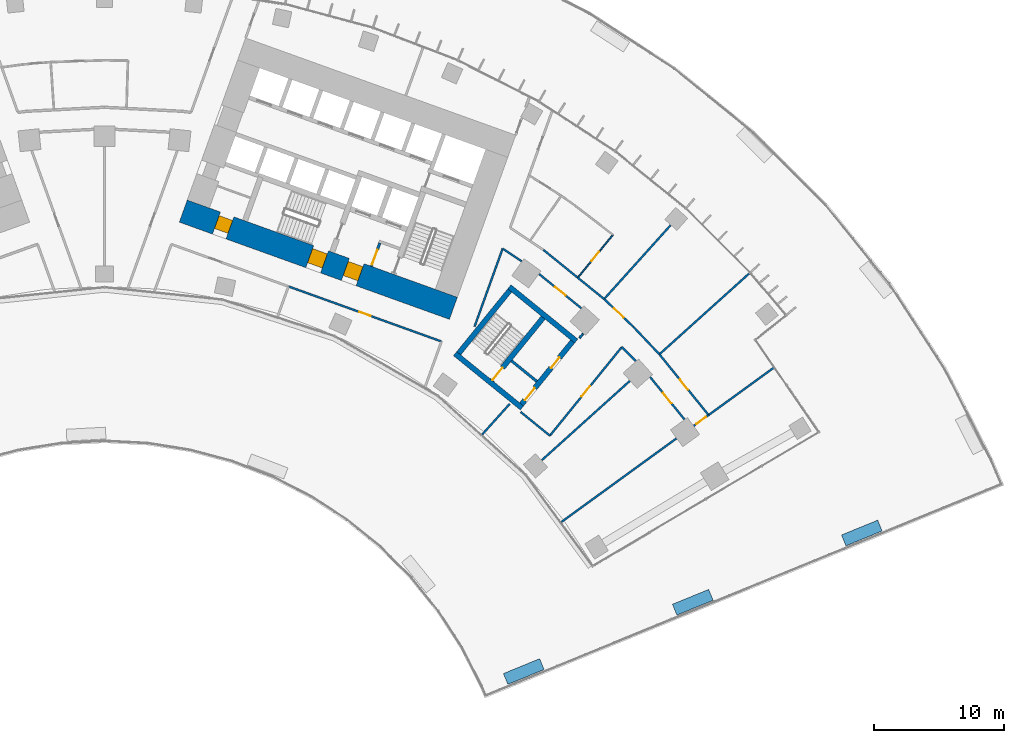
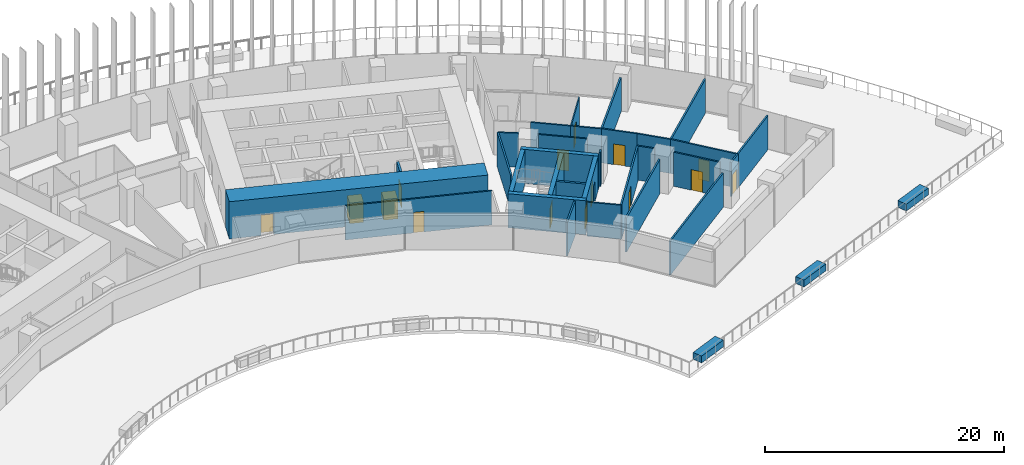
# One storey, part 18 of 24: 33 walls, 15 doors, 15 openings.
"""IFC4 building model written with IfcOpenShell, lengths in metres."""

from ifc_helpers import new_model, si_unit, direction, frame, frame_2d, origin, origin_2d, place, context, subcontext, project, spatial, rectangle, extrude, material, layer, layer_set, type_object, element, fill, save


model = new_model("IFC4")

# Units and contexts
model_context = context("Model", 3, precision=1e-05, world=origin(), true_north=direction((0.0, 1.0)))
body_context = subcontext(model_context, "Body", "Model", "MODEL_VIEW")
ifc_project = project(units=[si_unit("LENGTHUNIT", "METRE"), si_unit("AREAUNIT", "SQUARE_METRE"), si_unit("VOLUMEUNIT", "CUBIC_METRE"), si_unit("PLANEANGLEUNIT", "RADIAN"), si_unit("MASSUNIT", "GRAM", prefix="KILO")], contexts=[model_context])

# Site, building, storey
site_placement = place(None, origin())
site = spatial("IfcSite", under=ifc_project, at=site_placement, CompositionType="ELEMENT")
building_placement = place(site_placement, origin())
building = spatial("IfcBuilding", under=site, at=building_placement, Name="Stone Belt Terrace Tower", CompositionType="ELEMENT")
storey_placement = place(building_placement, frame((0.0, 0.0, 30.0)))
storey = spatial("IfcBuildingStorey", under=building, at=storey_placement, Name="L06", CompositionType="ELEMENT", Elevation=30.0)

# Wall, openings, doors
ifc_material_1 = material(Name="Concrete B80", Category="concrete")
ifc_layer_1 = layer(ifc_material_1, 1.800048828125)
ifc_layer_set_1 = layer_set([ifc_layer_1], Name="Core wall 1800 B80")
wall_type_1 = type_object("IfcWallType", Name="Core wall 1800 B80", PredefinedType="SHEAR", material=ifc_layer_set_1)
wall_1_placement = place(storey_placement, frame((6.039306640625, 49.265380859375, 0.0), z_axis=(0.0, 0.0, 1.0), x_axis=(0.940921642213, -0.338624368902, 0.0)))
wall_1 = element("IfcWall", 1, at=wall_1_placement, inside=storey, type_object=wall_type_1, Name="Core B wall concave L06", PredefinedType="SHEAR", context=body_context, shape_type="SweptSolid", body=[
    extrude(rectangle(XDim=22.0, YDim=1.800048828125, at=frame_2d((11.0, 0.0))), origin(), (0.0, 0.0, 1.0), 3.800048828125),
])
opening_1_placement = place(wall_1_placement, frame((13.199951171875, 0.0, 0.0)))
opening_1 = element("IfcOpeningElement", 2, at=opening_1_placement, cuts=wall_1, Name="Opening L06-C14", PredefinedType="OPENING", context=body_context, shape_type="SweptSolid", body=[
    extrude(rectangle(XDim=1.199951171875, YDim=2.10009765625, at=frame_2d((0.60009765625, 1.050048828125))), frame((0.0, 0.909912109375, 0.0), z_axis=(0.0, -1.0, 0.0), x_axis=(1.0, 0.0, 0.0)), (0.0, 0.0, 1.0), 1.820068359375),
])
opening_2_placement = place(wall_1_placement, frame((10.300048828125, 0.0, 0.0)))
opening_2 = element("IfcOpeningElement", 3, at=opening_2_placement, cuts=wall_1, Name="Opening L06-C16", PredefinedType="OPENING", context=body_context, shape_type="SweptSolid", body=[
    extrude(rectangle(XDim=1.199951171875, YDim=2.10009765625, at=frame_2d((0.60009765625, 1.050048828125))), frame((0.0, 0.909912109375, 0.0), z_axis=(0.0, -1.0, 0.0), x_axis=(1.0, 0.0, 0.0)), (0.0, 0.0, 1.0), 1.820068359375),
])
opening_3_placement = place(wall_1_placement, frame((2.699951171875, 0.0, 0.0)))
opening_3 = element("IfcOpeningElement", 4, at=opening_3_placement, cuts=wall_1, Name="Opening L06-C18", PredefinedType="OPENING", context=body_context, shape_type="SweptSolid", body=[
    extrude(rectangle(XDim=1.10009765625, YDim=2.10009765625, at=frame_2d((0.550048828125, 1.050048828125))), frame((0.0, 0.909912109375, 0.0), z_axis=(0.0, -1.0, 0.0), x_axis=(1.0, 0.0, 0.0)), (0.0, 0.0, 1.0), 1.820068359375),
])
ifc_material_2 = material(Name="Timber door leaf", Category="wood")
door_type_1 = type_object("IfcDoorType", Name="Core room door 1100", OperationType="SINGLE_SWING_LEFT", PredefinedType="DOOR", material=ifc_material_2)
door_1_placement = place(opening_3_placement, origin())
door_1 = element("IfcDoor", 5, at=door_1_placement, inside=storey, type_object=door_type_1, Name="Door to Cleaner's store core B", OperationType="SINGLE_SWING_RIGHT", OverallHeight=2.10009765625, OverallWidth=1.10009765625, PredefinedType="DOOR", context=body_context, shape_type="SweptSolid", body=[
    extrude(rectangle(XDim=1.10009765625, YDim=2.10009765625, at=frame_2d((0.550048828125, 1.050048828125))), frame((0.0, 0.60498046875, 0.0), z_axis=(0.0, -1.0, 0.0), x_axis=(1.0, 0.0, 0.0)), (0.0, 0.0, 1.0), 1.050048828125),
])
fill(opening_3, door_1)
ifc_material_3 = material(Name="Steel door leaf", Category="steel")
door_type_2 = type_object("IfcDoorType", Name="Fire-fighting lobby door 1200", OperationType="SINGLE_SWING_LEFT", PredefinedType="DOOR", material=ifc_material_3)
door_2_placement = place(opening_1_placement, origin())
door_2 = element("IfcDoor", 6, at=door_2_placement, inside=storey, type_object=door_type_2, Name="Fire-fighting lobby door core B", OperationType="SINGLE_SWING_RIGHT", OverallHeight=2.10009765625, OverallWidth=1.199951171875, PredefinedType="DOOR", context=body_context, shape_type="SweptSolid", body=[
    extrude(rectangle(XDim=1.199951171875, YDim=2.10009765625, at=frame_2d((0.60009765625, 1.050048828125))), frame((0.0, 0.655029296875, 0.0), z_axis=(0.0, -1.0, 0.0), x_axis=(1.0, 0.0, 0.0)), (0.0, 0.0, 1.0), 1.14990234375),
])
fill(opening_1, door_2)
door_type_3 = type_object("IfcDoorType", Name="Stair door 1200", OperationType="SINGLE_SWING_LEFT", PredefinedType="DOOR", material=ifc_material_3)
door_3_placement = place(opening_2_placement, origin())
door_3 = element("IfcDoor", 7, at=door_3_placement, inside=storey, type_object=door_type_3, Name="Stair 2 exit door core B", OperationType="SINGLE_SWING_LEFT", OverallHeight=2.10009765625, OverallWidth=1.199951171875, PredefinedType="DOOR", context=body_context, shape_type="SweptSolid", body=[
    extrude(rectangle(XDim=1.199951171875, YDim=2.10009765625, at=frame_2d((0.60009765625, 1.050048828125))), frame((0.0, 0.655029296875, 0.0), z_axis=(0.0, -1.0, 0.0), x_axis=(1.0, 0.0, 0.0)), (0.0, 0.0, 1.0), 1.14990234375),
])
fill(opening_2, door_3)

# Wall, opening, door
ifc_material_4 = material(Name="Gypsum board partition")
ifc_layer_2 = layer(ifc_material_4, 0.10009765625)
ifc_layer_set_2 = layer_set([ifc_layer_2], Name="PARTITION 100")
wall_type_2 = type_object("IfcWallType", Name="PARTITION 100", PredefinedType="PARTITIONING", material=ifc_layer_set_2)
wall_2_placement = place(storey_placement, frame((36.27001953125, 44.162109375, 0.0), z_axis=(0.0, 0.0, 1.0), x_axis=(0.634694105606, 0.772763477598, 0.0)))
wall_2 = element("IfcWall", 8, at=wall_2_placement, inside=storey, type_object=wall_type_2, Name="L06/wall/i075", PredefinedType="PARTITIONING", context=body_context, shape_type="SweptSolid", body=[
    extrude(rectangle(XDim=4.2509765625, YDim=0.10009765625, at=frame_2d((2.12548828125, 0.0))), origin(), (0.0, 0.0, 1.0), 3.47998046875),
])
opening_4_placement = place(wall_2_placement, frame((1.675537109375, 0.0, 0.0)))
opening_4 = element("IfcOpeningElement", 9, at=opening_4_placement, cuts=wall_2, Name="Opening D-A1-23", PredefinedType="OPENING", context=body_context, shape_type="SweptSolid", body=[
    extrude(rectangle(XDim=0.89990234375, YDim=2.10009765625, at=frame_2d((0.449951171875, 1.050048828125))), frame((0.0, 0.06005859375, 0.0), z_axis=(0.0, -1.0, 0.0), x_axis=(1.0, 0.0, 0.0)), (0.0, 0.0, 1.0), 0.1201171875),
])
door_type_4 = type_object("IfcDoorType", Name="OFFICE DOOR 900 X 2100", OperationType="NOTDEFINED", PredefinedType="DOOR", material=ifc_material_2)
door_4_placement = place(opening_4_placement, origin())
door_4 = element("IfcDoor", 10, at=door_4_placement, inside=storey, type_object=door_type_4, Name="L06/door/i23", OperationType="SINGLE_SWING_RIGHT", OverallHeight=2.10009765625, OverallWidth=0.89990234375, PredefinedType="DOOR", context=body_context, shape_type="SweptSolid", body=[
    extrude(rectangle(XDim=0.89990234375, YDim=2.10009765625, at=frame_2d((0.449951171875, 1.050048828125))), frame((0.0, 0.02490234375, 0.0), z_axis=(0.0, -1.0, 0.0), x_axis=(1.0, 0.0, 0.0)), (0.0, 0.0, 1.0), 0.050048828125),
])
fill(opening_4, door_4)

# Walls
ifc_layer_3 = layer(ifc_material_4, 0.14990234375)
ifc_layer_set_3 = layer_set([ifc_layer_3], Name="PARTITION 150 EI 60")
wall_type_3 = type_object("IfcWallType", Name="PARTITION 150 EI 60", PredefinedType="PARTITIONING", material=ifc_layer_set_3)
wall_3_placement = place(storey_placement, frame((30.512939453125, 46.39599609375, 0.0), z_axis=(0.0, 0.0, 1.0), x_axis=(-0.338588876135, -0.940934414801, 0.0)))
element("IfcWall", 11, at=wall_3_placement, inside=storey, type_object=wall_type_3, Name="L06/wall/i025", PredefinedType="PARTITIONING", context=body_context, shape_type="SweptSolid", body=[
    extrude(rectangle(XDim=6.35546875, YDim=0.14990234375, at=frame_2d((3.177734375, 0.0))), origin(), (0.0, 0.0, 1.0), 3.47998046875),
])
wall_4_placement = place(storey_placement, frame((31.054931640625, 34.489990234375, 0.0), z_axis=(0.0, 0.0, 1.0), x_axis=(-0.669118910745, -0.743155356089, 0.0)))
element("IfcWall", 12, at=wall_4_placement, inside=storey, type_object=wall_type_3, Name="L06/wall/i026", PredefinedType="PARTITIONING", context=body_context, shape_type="SweptSolid", body=[
    extrude(rectangle(XDim=3.149169921875, YDim=0.14990234375, at=frame_2d((1.57470703125, 0.0))), origin(), (0.0, 0.0, 1.0), 3.47998046875),
])

# Wall, opening, door
wall_5_placement = place(storey_placement, frame((25.824951171875, 39.27490234375, 0.0), z_axis=(0.0, 0.0, 1.0), x_axis=(-0.940921354073, 0.338625169545, 0.0)))
wall_5 = element("IfcWall", 13, at=wall_5_placement, inside=storey, type_object=wall_type_3, Name="L06/wall/i030", PredefinedType="PARTITIONING", context=body_context, shape_type="SweptSolid", body=[
    extrude(rectangle(XDim=12.468505859375, YDim=0.14990234375, at=frame_2d((6.234375, 0.0))), origin(), (0.0, 0.0, 1.0), 3.47998046875),
])
opening_5_placement = place(wall_5_placement, frame((5.7841796875, 0.0, 0.0)))
opening_5 = element("IfcOpeningElement", 14, at=opening_5_placement, cuts=wall_5, Name="Opening D-A1-06", PredefinedType="OPENING", context=body_context, shape_type="SweptSolid", body=[
    extrude(rectangle(XDim=0.89990234375, YDim=2.10009765625, at=frame_2d((0.449951171875, 1.050048828125))), frame((0.0, 0.0849609375, 0.0), z_axis=(0.0, -1.0, 0.0), x_axis=(1.0, 0.0, 0.0)), (0.0, 0.0, 1.0), 0.169921875),
])
door_5_placement = place(opening_5_placement, origin())
door_5 = element("IfcDoor", 15, at=door_5_placement, inside=storey, type_object=door_type_4, Name="L06/door/i06", OperationType="SINGLE_SWING_RIGHT", OverallHeight=2.10009765625, OverallWidth=0.89990234375, PredefinedType="DOOR", context=body_context, shape_type="SweptSolid", body=[
    extrude(rectangle(XDim=0.89990234375, YDim=2.10009765625, at=frame_2d((0.449951171875, 1.050048828125))), frame((0.0, 0.02490234375, 0.0), z_axis=(0.0, -1.0, 0.0), x_axis=(1.0, 0.0, 0.0)), (0.0, 0.0, 1.0), 0.050048828125),
])
fill(opening_5, door_5)

wall_6_placement = place(storey_placement, frame((46.301025390625, 33.638916015625, 0.0), z_axis=(0.0, 0.0, 1.0), x_axis=(-0.809353623303, -0.587321643094, 0.0)))
wall_6 = element("IfcWall", 16, at=wall_6_placement, inside=storey, type_object=wall_type_3, Name="L06/wall/i056", PredefinedType="PARTITIONING", context=body_context, shape_type="SweptSolid", body=[
    extrude(rectangle(XDim=1.40087890625, YDim=0.14990234375, at=frame_2d((0.700439453125, 0.0))), origin(), (0.0, 0.0, 1.0), 3.47998046875),
])
opening_6_placement = place(wall_6_placement, frame((0.25048828125, 0.0, 0.0)))
opening_6 = element("IfcOpeningElement", 17, at=opening_6_placement, cuts=wall_6, Name="Opening D-A1-17", PredefinedType="OPENING", context=body_context, shape_type="SweptSolid", body=[
    extrude(rectangle(XDim=0.89990234375, YDim=2.10009765625, at=frame_2d((0.449951171875, 1.050048828125))), frame((0.0, 0.0849609375, 0.0), z_axis=(0.0, -1.0, 0.0), x_axis=(1.0, 0.0, 0.0)), (0.0, 0.0, 1.0), 0.169921875),
])
ifc_material_5 = material(Name="Timber fire door leaf", Category="wood")
door_type_5 = type_object("IfcDoorType", Name="TENANCY ENTRANCE DOOR 900 X 2100", OperationType="NOTDEFINED", PredefinedType="DOOR", material=ifc_material_5)
door_6_placement = place(opening_6_placement, origin())
door_6 = element("IfcDoor", 18, at=door_6_placement, inside=storey, type_object=door_type_5, Name="L06/door/i17", OperationType="SINGLE_SWING_RIGHT", OverallHeight=2.10009765625, OverallWidth=0.89990234375, PredefinedType="DOOR", context=body_context, shape_type="SweptSolid", body=[
    extrude(rectangle(XDim=0.89990234375, YDim=2.10009765625, at=frame_2d((0.449951171875, 1.050048828125))), frame((0.0, 0.02490234375, 0.0), z_axis=(0.0, -1.0, 0.0), x_axis=(1.0, 0.0, 0.0)), (0.0, 0.0, 1.0), 0.050048828125),
])
fill(opening_6, door_6)

# Walls
wall_7_placement = place(storey_placement, frame((35.01953125, 25.44287109375, 0.0), z_axis=(0.0, 0.0, 1.0), x_axis=(0.80903281135, 0.587763481478, 0.0)))
element("IfcWall", 19, at=wall_7_placement, inside=storey, type_object=wall_type_3, Name="L06/wall/i057", PredefinedType="PARTITIONING", context=body_context, shape_type="SweptSolid", body=[
    extrude(rectangle(XDim=10.883544921875, YDim=0.14990234375, at=frame_2d((5.44189453125, 0.0))), origin(), (0.0, 0.0, 1.0), 3.47998046875),
])
wall_8_placement = place(storey_placement, frame((46.291015625, 33.632080078125, 0.0), z_axis=(0.0, 0.0, 1.0), x_axis=(0.809013729568, 0.587789745887, 0.0)))
element("IfcWall", 20, at=wall_8_placement, inside=storey, type_object=wall_type_3, Name="L06/wall/i058", PredefinedType="PARTITIONING", context=body_context, shape_type="SweptSolid", body=[
    extrude(rectangle(XDim=6.157958984375, YDim=0.14990234375, at=frame_2d((3.0791015625, 0.0))), origin(), (0.0, 0.0, 1.0), 3.47998046875),
])

# Wall, opening, door
wall_9_placement = place(storey_placement, frame((36.540771484375, 41.8232421875, 0.0), z_axis=(0.0, 0.0, 1.0), x_axis=(-0.777128540701, 0.629341903283, 0.0)))
wall_9 = element("IfcWall", 21, at=wall_9_placement, inside=storey, type_object=wall_type_3, Name="L06/wall/i059", PredefinedType="PARTITIONING", context=body_context, shape_type="SweptSolid", body=[
    extrude(rectangle(XDim=4.15478515625, YDim=0.14990234375, at=frame_2d((2.077392578125, 0.0))), origin(), (0.0, 0.0, 1.0), 3.47998046875),
])
opening_7_placement = place(wall_9_placement, frame((1.577392578125, 0.0, 0.0)))
opening_7 = element("IfcOpeningElement", 22, at=opening_7_placement, cuts=wall_9, Name="Opening D-A1-18", PredefinedType="OPENING", context=body_context, shape_type="SweptSolid", body=[
    extrude(rectangle(XDim=1.0, YDim=2.10009765625, at=frame_2d((0.5, 1.050048828125))), frame((0.0, 0.0849609375, 0.0), z_axis=(0.0, -1.0, 0.0), x_axis=(1.0, 0.0, 0.0)), (0.0, 0.0, 1.0), 0.169921875),
])
door_type_6 = type_object("IfcDoorType", Name="TENANCY ENTRANCE DOOR 1000 X 2100", OperationType="NOTDEFINED", PredefinedType="DOOR", material=ifc_material_5)
door_7_placement = place(opening_7_placement, origin())
door_7 = element("IfcDoor", 23, at=door_7_placement, inside=storey, type_object=door_type_6, Name="L06/door/i18", OperationType="SINGLE_SWING_RIGHT", OverallHeight=2.10009765625, OverallWidth=1.0, PredefinedType="DOOR", context=body_context, shape_type="SweptSolid", body=[
    extrude(rectangle(XDim=1.0, YDim=2.10009765625, at=frame_2d((0.5, 1.050048828125))), frame((0.0, 0.02490234375, 0.0), z_axis=(0.0, -1.0, 0.0), x_axis=(1.0, 0.0, 0.0)), (0.0, 0.0, 1.0), 0.050048828125),
])
fill(opening_7, door_7)

# Walls
wall_10_placement = place(storey_placement, frame((31.9736328125, 45.420166015625, 0.0), z_axis=(0.0, 0.0, 1.0), x_axis=(-0.833460186345, 0.552579512629, 0.0)))
element("IfcWall", 24, at=wall_10_placement, inside=storey, type_object=wall_type_3, Name="L06/wall/i060", PredefinedType="PARTITIONING", context=body_context, shape_type="SweptSolid", body=[
    extrude(rectangle(XDim=1.7548828125, YDim=0.14990234375, at=frame_2d((0.87744140625, 0.0))), origin(), (0.0, 0.0, 1.0), 3.47998046875),
])
wall_11_placement = place(storey_placement, frame((36.264892578125, 44.166015625, 0.0), z_axis=(0.0, 0.0, 1.0), x_axis=(0.777255775806, -0.629184757425, 0.0)))
element("IfcWall", 25, at=wall_11_placement, inside=storey, type_object=wall_type_3, Name="L06/wall/i061", PredefinedType="PARTITIONING", context=body_context, shape_type="SweptSolid", body=[
    extrude(rectangle(XDim=2.606689453125, YDim=0.14990234375, at=frame_2d((1.30322265625, 0.0))), origin(), (0.0, 0.0, 1.0), 3.47998046875),
])
wall_12_placement = place(storey_placement, frame((33.635986328125, 46.2958984375, 0.0), z_axis=(0.0, 0.0, 1.0), x_axis=(0.777003753109, -0.629495963176, 0.0)))
element("IfcWall", 26, at=wall_12_placement, inside=storey, type_object=wall_type_3, Name="L06/wall/i064", PredefinedType="PARTITIONING", context=body_context, shape_type="SweptSolid", body=[
    extrude(rectangle(XDim=3.396240234375, YDim=0.14990234375, at=frame_2d((1.6982421875, 0.0))), origin(), (0.0, 0.0, 1.0), 3.47998046875),
])

# Wall, opening, door
wall_13_placement = place(storey_placement, frame((38.291015625, 42.52587890625, 0.0), z_axis=(0.0, 0.0, 1.0), x_axis=(0.724835843729, -0.688921620829, 0.0)))
wall_13 = element("IfcWall", 27, at=wall_13_placement, inside=storey, type_object=wall_type_3, Name="L06/wall/i065", PredefinedType="PARTITIONING", context=body_context, shape_type="SweptSolid", body=[
    extrude(rectangle(XDim=3.093017578125, YDim=0.14990234375, at=frame_2d((1.54638671875, 0.0))), origin(), (0.0, 0.0, 1.0), 3.47998046875),
])
opening_8_placement = place(wall_13_placement, frame((1.046630859375, 0.0, 0.0)))
opening_8 = element("IfcOpeningElement", 28, at=opening_8_placement, cuts=wall_13, Name="Opening D-A1-24", PredefinedType="OPENING", context=body_context, shape_type="SweptSolid", body=[
    extrude(rectangle(XDim=1.0, YDim=2.10009765625, at=frame_2d((0.5, 1.050048828125))), frame((0.0, 0.0849609375, 0.0), z_axis=(0.0, -1.0, 0.0), x_axis=(1.0, 0.0, 0.0)), (0.0, 0.0, 1.0), 0.169921875),
])
door_8_placement = place(opening_8_placement, origin())
door_8 = element("IfcDoor", 29, at=door_8_placement, inside=storey, type_object=door_type_6, Name="L06/door/i24", OperationType="SINGLE_SWING_RIGHT", OverallHeight=2.10009765625, OverallWidth=1.0, PredefinedType="DOOR", context=body_context, shape_type="SweptSolid", body=[
    extrude(rectangle(XDim=1.0, YDim=2.10009765625, at=frame_2d((0.5, 1.050048828125))), frame((0.0, 0.02490234375, 0.0), z_axis=(0.0, -1.0, 0.0), x_axis=(1.0, 0.0, 0.0)), (0.0, 0.0, 1.0), 0.050048828125),
])
fill(opening_8, door_8)

# Wall
wall_14_placement = place(storey_placement, frame((40.71240234375, 37.7744140625, 0.0), z_axis=(0.0, 0.0, 1.0), x_axis=(-0.707026065842, 0.707187487318, 0.0)))
element("IfcWall", 30, at=wall_14_placement, inside=storey, type_object=wall_type_3, Name="L06/wall/i066", PredefinedType="PARTITIONING", context=body_context, shape_type="SweptSolid", body=[
    extrude(rectangle(XDim=1.512451171875, YDim=0.14990234375, at=frame_2d((0.75634765625, 0.0))), origin(), (0.0, 0.0, 1.0), 3.47998046875),
])

# Wall, opening, door
wall_15_placement = place(storey_placement, frame((44.43798828125, 33.31201171875, 0.0), z_axis=(0.0, 0.0, 1.0), x_axis=(-0.629213442028, 0.777232554884, 0.0)))
wall_15 = element("IfcWall", 31, at=wall_15_placement, inside=storey, type_object=wall_type_3, Name="L06/wall/i067", PredefinedType="PARTITIONING", context=body_context, shape_type="SweptSolid", body=[
    extrude(rectangle(XDim=4.15478515625, YDim=0.14990234375, at=frame_2d((2.077392578125, 0.0))), origin(), (0.0, 0.0, 1.0), 3.47998046875),
])
opening_9_placement = place(wall_15_placement, frame((1.577392578125, 0.0, 0.0)))
opening_9 = element("IfcOpeningElement", 32, at=opening_9_placement, cuts=wall_15, Name="Opening D-A1-20", PredefinedType="OPENING", context=body_context, shape_type="SweptSolid", body=[
    extrude(rectangle(XDim=1.0, YDim=2.10009765625, at=frame_2d((0.5, 1.050048828125))), frame((0.0, 0.0849609375, 0.0), z_axis=(0.0, -1.0, 0.0), x_axis=(1.0, 0.0, 0.0)), (0.0, 0.0, 1.0), 0.169921875),
])
door_9_placement = place(opening_9_placement, origin())
door_9 = element("IfcDoor", 33, at=door_9_placement, inside=storey, type_object=door_type_6, Name="L06/door/i20", OperationType="SINGLE_SWING_RIGHT", OverallHeight=2.10009765625, OverallWidth=1.0, PredefinedType="DOOR", context=body_context, shape_type="SweptSolid", body=[
    extrude(rectangle(XDim=1.0, YDim=2.10009765625, at=frame_2d((0.5, 1.050048828125))), frame((0.0, 0.02490234375, 0.0), z_axis=(0.0, -1.0, 0.0), x_axis=(1.0, 0.0, 0.0)), (0.0, 0.0, 1.0), 0.050048828125),
])
fill(opening_9, door_9)

# Wall
wall_16_placement = place(storey_placement, frame((40.532958984375, 40.39501953125, 0.0), z_axis=(0.0, 0.0, 1.0), x_axis=(0.687681554755, -0.726012451167, 0.0)))
element("IfcWall", 34, at=wall_16_placement, inside=storey, type_object=wall_type_3, Name="L06/wall/i068", PredefinedType="PARTITIONING", context=body_context, shape_type="SweptSolid", body=[
    extrude(rectangle(XDim=2.89794921875, YDim=0.14990234375, at=frame_2d((1.448974609375, 0.0))), origin(), (0.0, 0.0, 1.0), 3.47998046875),
])

# Wall, opening, door
wall_17_placement = place(storey_placement, frame((42.527099609375, 38.2900390625, 0.0), z_axis=(0.0, 0.0, 1.0), x_axis=(0.629322532513, -0.77714422733, 0.0)))
wall_17 = element("IfcWall", 35, at=wall_17_placement, inside=storey, type_object=wall_type_3, Name="L06/wall/i069", PredefinedType="PARTITIONING", context=body_context, shape_type="SweptSolid", body=[
    extrude(rectangle(XDim=5.98876953125, YDim=0.14990234375, at=frame_2d((2.994384765625, 0.0))), origin(), (0.0, 0.0, 1.0), 3.47998046875),
])
opening_10_placement = place(wall_17_placement, frame((2.494384765625, 0.0, 0.0)))
opening_10 = element("IfcOpeningElement", 36, at=opening_10_placement, cuts=wall_17, Name="Opening D-A1-25", PredefinedType="OPENING", context=body_context, shape_type="SweptSolid", body=[
    extrude(rectangle(XDim=1.0, YDim=2.10009765625, at=frame_2d((0.5, 1.050048828125))), frame((0.0, 0.0849609375, 0.0), z_axis=(0.0, -1.0, 0.0), x_axis=(1.0, 0.0, 0.0)), (0.0, 0.0, 1.0), 0.169921875),
])
door_10_placement = place(opening_10_placement, origin())
door_10 = element("IfcDoor", 37, at=door_10_placement, inside=storey, type_object=door_type_6, Name="L06/door/i25", OperationType="SINGLE_SWING_RIGHT", OverallHeight=2.10009765625, OverallWidth=1.0, PredefinedType="DOOR", context=body_context, shape_type="SweptSolid", body=[
    extrude(rectangle(XDim=1.0, YDim=2.10009765625, at=frame_2d((0.5, 1.050048828125))), frame((0.0, 0.02490234375, 0.0), z_axis=(0.0, -1.0, 0.0), x_axis=(1.0, 0.0, 0.0)), (0.0, 0.0, 1.0), 0.050048828125),
])
fill(opening_10, door_10)

# Wall
wall_18_placement = place(storey_placement, frame((36.406005859375, 39.537109375, 0.0), z_axis=(0.0, 0.0, 1.0), x_axis=(0.630378027046, 0.776288311787, 0.0)))
element("IfcWall", 38, at=wall_18_placement, inside=storey, type_object=wall_type_3, Name="L06/wall/i070", PredefinedType="PARTITIONING", context=body_context, shape_type="SweptSolid", body=[
    extrude(rectangle(XDim=0.428466796875, YDim=0.14990234375, at=frame_2d((0.21435546875, 0.0))), origin(), (0.0, 0.0, 1.0), 3.47998046875),
])

# Wall, opening, door
wall_19_placement = place(storey_placement, frame((39.64599609375, 38.84912109375, 0.0), z_axis=(0.0, 0.0, 1.0), x_axis=(-0.630141823003, -0.776480059566, 0.0)))
wall_19 = element("IfcWall", 39, at=wall_19_placement, inside=storey, type_object=wall_type_3, Name="L06/wall/i071", PredefinedType="PARTITIONING", context=body_context, shape_type="SweptSolid", body=[
    extrude(rectangle(XDim=8.748779296875, YDim=0.14990234375, at=frame_2d((4.37451171875, 0.0))), origin(), (0.0, 0.0, 1.0), 3.47998046875),
])
opening_11_placement = place(wall_19_placement, frame((3.874267578125, 0.0, 0.0)))
opening_11 = element("IfcOpeningElement", 40, at=opening_11_placement, cuts=wall_19, Name="Opening D-A1-19", PredefinedType="OPENING", context=body_context, shape_type="SweptSolid", body=[
    extrude(rectangle(XDim=1.0, YDim=2.10009765625, at=frame_2d((0.5, 1.050048828125))), frame((0.0, 0.0849609375, 0.0), z_axis=(0.0, -1.0, 0.0), x_axis=(1.0, 0.0, 0.0)), (0.0, 0.0, 1.0), 0.169921875),
])
door_11_placement = place(opening_11_placement, origin())
door_11 = element("IfcDoor", 41, at=door_11_placement, inside=storey, type_object=door_type_6, Name="L06/door/i19", OperationType="SINGLE_SWING_RIGHT", OverallHeight=2.10009765625, OverallWidth=1.0, PredefinedType="DOOR", context=body_context, shape_type="SweptSolid", body=[
    extrude(rectangle(XDim=1.0, YDim=2.10009765625, at=frame_2d((0.5, 1.050048828125))), frame((0.0, 0.02490234375, 0.0), z_axis=(0.0, -1.0, 0.0), x_axis=(1.0, 0.0, 0.0)), (0.0, 0.0, 1.0), 0.050048828125),
])
fill(opening_11, door_11)

# Walls
wall_20_placement = place(storey_placement, frame((34.133056640625, 32.055908203125, 0.0), z_axis=(0.0, 0.0, 1.0), x_axis=(-0.776369956068, 0.630277471686, 0.0)))
element("IfcWall", 42, at=wall_20_placement, inside=storey, type_object=wall_type_3, Name="L06/wall/i072", PredefinedType="PARTITIONING", context=body_context, shape_type="SweptSolid", body=[
    extrude(rectangle(XDim=2.8876953125, YDim=0.14990234375, at=frame_2d((1.44384765625, 0.0))), origin(), (0.0, 0.0, 1.0), 3.47998046875),
])
wall_21_placement = place(storey_placement, frame((40.256103515625, 36.2470703125, 0.0), z_axis=(0.0, 0.0, 1.0), x_axis=(-0.743122805234, -0.669155061508, 0.0)))
element("IfcWall", 43, at=wall_21_placement, inside=storey, type_object=wall_type_3, Name="L06/wall/i073", PredefinedType="PARTITIONING", context=body_context, shape_type="SweptSolid", body=[
    extrude(rectangle(XDim=9.070068359375, YDim=0.14990234375, at=frame_2d((4.53515625, 0.0))), origin(), (0.0, 0.0, 1.0), 3.47998046875),
])
wall_22_placement = place(storey_placement, frame((43.382080078125, 48.18115234375, 0.0), z_axis=(0.0, 0.0, 1.0), x_axis=(-0.669060448127, -0.743207990237, 0.0)))
element("IfcWall", 44, at=wall_22_placement, inside=storey, type_object=wall_type_3, Name="L06/wall/i078", PredefinedType="PARTITIONING", context=body_context, shape_type="SweptSolid", body=[
    extrude(rectangle(XDim=7.609375, YDim=0.14990234375, at=frame_2d((3.8046875, 0.0))), origin(), (0.0, 0.0, 1.0), 3.47998046875),
])
wall_23_placement = place(storey_placement, frame((49.418212890625, 44.496826171875, 0.0), z_axis=(0.0, 0.0, 1.0), x_axis=(-0.743148838472, -0.66912614945, 0.0)))
element("IfcWall", 45, at=wall_23_placement, inside=storey, type_object=wall_type_3, Name="L06/wall/i080", PredefinedType="PARTITIONING", context=body_context, shape_type="SweptSolid", body=[
    extrude(rectangle(XDim=9.2744140625, YDim=0.14990234375, at=frame_2d((4.63720703125, 0.0))), origin(), (0.0, 0.0, 1.0), 3.47998046875),
])
ifc_material_6 = material(Name="Precast concrete C40/50", Category="concrete")
ifc_layer_4 = layer(ifc_material_6, 0.89990234375)
ifc_layer_set_4 = layer_set([ifc_layer_4], Name="Planter box 900 x 700")
wall_type_4 = type_object("IfcWallType", Name="Planter box 900 x 700", PredefinedType="SOLIDWALL", material=ifc_layer_set_4)
for number, where, z_axis, x_axis, name in (
    (46, (32.130859375, 13.979736328125, 0.0), (0.0, 0.0, 1.0), (0.925297074342, 0.379243093825, 0.0), "PLANTER L06 5"),
    (47, (45.085205078125, 19.2890625, 0.0), (0.0, 0.0, 1.0), (0.925297074342, 0.379243093825, 0.0), "PLANTER L06 6"),
    (48, (58.039306640625, 24.5986328125, 0.0), (0.0, 0.0, 1.0), (0.925297074342, 0.379243093825, 0.0), "PLANTER L06 7"),
):
    element("IfcWall", number, at=place(storey_placement, frame(where, z_axis=z_axis, x_axis=x_axis)), inside=storey, type_object=wall_type_4, Name=name, PredefinedType="SOLIDWALL", context=body_context, shape_type="SweptSolid", body=[
        extrude(rectangle(XDim=3.0, YDim=0.89990234375, at=origin_2d()), origin(), (0.0, 0.0, 1.0), 0.699951171875),
    ])

# Wall, opening, door
ifc_material_7 = material(Name="Concrete masonry block", Category="masonry")
ifc_layer_5 = layer(ifc_material_7, 0.199951171875)
ifc_layer_set_5 = layer_set([ifc_layer_5], Name="Rated lobby wall 200")
wall_type_5 = type_object("IfcWallType", Name="Rated lobby wall 200", PredefinedType="PARTITIONING", material=ifc_layer_set_5)
wall_24_placement = place(storey_placement, frame((20.4580078125, 45.032958984375, 0.0), z_axis=(0.0, 0.0, 1.0), x_axis=(0.338573865316, 0.940939816208, 0.0)))
wall_24 = element("IfcWall", 49, at=wall_24_placement, inside=storey, type_object=wall_type_5, Name="Core B wall", PredefinedType="PARTITIONING", context=body_context, shape_type="SweptSolid", body=[
    extrude(rectangle(XDim=1.900146484375, YDim=0.199951171875, at=frame_2d((0.9501953125, 0.0))), origin(), (0.0, 0.0, 1.0), 3.47998046875),
])
opening_12_placement = place(wall_24_placement, frame((0.14990234375, 0.0, 0.0)))
opening_12 = element("IfcOpeningElement", 50, at=opening_12_placement, cuts=wall_24, Name="Opening L06-C13", PredefinedType="OPENING", context=body_context, shape_type="SweptSolid", body=[
    extrude(rectangle(XDim=1.199951171875, YDim=2.10009765625, at=frame_2d((0.60009765625, 1.050048828125))), frame((0.0, 0.10986328125, 0.0), z_axis=(0.0, -1.0, 0.0), x_axis=(1.0, 0.0, 0.0)), (0.0, 0.0, 1.0), 0.219970703125),
])
door_12_placement = place(opening_12_placement, origin())
door_12 = element("IfcDoor", 51, at=door_12_placement, inside=storey, type_object=door_type_3, Name="Stair airlock door core B", OperationType="SINGLE_SWING_RIGHT", OverallHeight=2.10009765625, OverallWidth=1.199951171875, PredefinedType="DOOR", context=body_context, shape_type="SweptSolid", body=[
    extrude(rectangle(XDim=1.199951171875, YDim=2.10009765625, at=frame_2d((0.60009765625, 1.050048828125))), frame((0.0, 0.02490234375, 0.0), z_axis=(0.0, -1.0, 0.0), x_axis=(1.0, 0.0, 0.0)), (0.0, 0.0, 1.0), 0.050048828125),
])
fill(opening_12, door_12)

# Walls
wall_25_placement = place(storey_placement, frame((31.190673828125, 37.79296875, 0.0), z_axis=(0.0, 0.0, 1.0), x_axis=(0.776370830301, -0.630276394813, 0.0)))
element("IfcWall", 52, at=wall_25_placement, inside=storey, type_object=wall_type_5, Name="Exit stair ST3B wall", PredefinedType="PARTITIONING", context=body_context, shape_type="SweptSolid", body=[
    extrude(rectangle(XDim=2.5, YDim=0.199951171875, at=frame_2d((1.25, 0.0))), origin(), (0.0, 0.0, 1.0), 3.47998046875),
])
ifc_layer_6 = layer(ifc_material_1, 0.39990234375)
ifc_layer_set_6 = layer_set([ifc_layer_6], Name="Stair enclosure wall 400")
wall_type_6 = type_object("IfcWallType", Name="Stair enclosure wall 400", PredefinedType="SHEAR", material=ifc_layer_set_6)
wall_26_placement = place(storey_placement, frame((26.868408203125, 38.3388671875, 0.0), z_axis=(0.0, 0.0, 1.0), x_axis=(0.776428452498, -0.630205409491, 0.0)))
element("IfcWall", 53, at=wall_26_placement, inside=storey, type_object=wall_type_6, Name="Exit stair ST3B wall", PredefinedType="SHEAR", context=body_context, shape_type="SweptSolid", body=[
    extrude(rectangle(XDim=6.60009765625, YDim=0.39990234375, at=frame_2d((3.300048828125, 0.0))), origin(), (0.0, 0.0, 1.0), 3.47998046875),
])
wall_27_placement = place(storey_placement, frame((31.02783203125, 43.46337890625, 0.0), z_axis=(0.0, 0.0, 1.0), x_axis=(0.776413760801, -0.630223509589, 0.0)))
element("IfcWall", 54, at=wall_27_placement, inside=storey, type_object=wall_type_6, Name="Exit stair ST3B wall", PredefinedType="SHEAR", context=body_context, shape_type="SweptSolid", body=[
    extrude(rectangle(XDim=6.599853515625, YDim=0.39990234375, at=frame_2d((3.2998046875, 0.0))), origin(), (0.0, 0.0, 1.0), 3.47998046875),
])
wall_28_placement = place(storey_placement, frame((27.149658203125, 38.3681640625, 0.0), z_axis=(0.0, 0.0, 1.0), x_axis=(0.630211551729, 0.776423466973, 0.0)))
element("IfcWall", 55, at=wall_28_placement, inside=storey, type_object=wall_type_6, Name="Exit stair ST3B wall", PredefinedType="SHEAR", context=body_context, shape_type="SweptSolid", body=[
    extrude(rectangle(XDim=6.199951171875, YDim=0.39990234375, at=frame_2d((3.10009765625, 0.0))), origin(), (0.0, 0.0, 1.0), 3.47998046875),
])

# Wall, openings, doors
wall_29_placement = place(storey_placement, frame((31.963623046875, 34.460693359375, 0.0), z_axis=(0.0, 0.0, 1.0), x_axis=(0.630192283849, 0.776439106033, 0.0)))
wall_29 = element("IfcWall", 56, at=wall_29_placement, inside=storey, type_object=wall_type_6, Name="Exit stair ST3B wall", PredefinedType="SHEAR", context=body_context, shape_type="SweptSolid", body=[
    extrude(rectangle(XDim=6.199951171875, YDim=0.39990234375, at=frame_2d((3.10009765625, 0.0))), origin(), (0.0, 0.0, 1.0), 3.47998046875),
])
opening_13_placement = place(wall_29_placement, frame((0.39990234375, 0.0, 0.0)))
opening_13 = element("IfcOpeningElement", 57, at=opening_13_placement, cuts=wall_29, Name="Opening L06-C23", PredefinedType="OPENING", context=body_context, shape_type="SweptSolid", body=[
    extrude(rectangle(XDim=1.199951171875, YDim=2.10009765625, at=frame_2d((0.60009765625, 1.050048828125))), frame((0.0, 0.2099609375, 0.0), z_axis=(0.0, -1.0, 0.0), x_axis=(1.0, 0.0, 0.0)), (0.0, 0.0, 1.0), 0.419921875),
])
opening_14_placement = place(wall_29_placement, frame((3.60009765625, 0.0, 0.0)))
opening_14 = element("IfcOpeningElement", 58, at=opening_14_placement, cuts=wall_29, Name="Opening L06-C24", PredefinedType="OPENING", context=body_context, shape_type="SweptSolid", body=[
    extrude(rectangle(XDim=1.0, YDim=2.10009765625, at=frame_2d((0.5, 1.050048828125))), frame((0.0, 0.2099609375, 0.0), z_axis=(0.0, -1.0, 0.0), x_axis=(1.0, 0.0, 0.0)), (0.0, 0.0, 1.0), 0.419921875),
])
door_type_7 = type_object("IfcDoorType", Name="Core room door 1000", OperationType="SINGLE_SWING_LEFT", PredefinedType="DOOR", material=ifc_material_2)
door_13_placement = place(opening_14_placement, origin())
door_13 = element("IfcDoor", 59, at=door_13_placement, inside=storey, type_object=door_type_7, Name="Door to stair pressurisation plant room ST3B", OperationType="SINGLE_SWING_LEFT", OverallHeight=2.10009765625, OverallWidth=1.0, PredefinedType="DOOR", context=body_context, shape_type="SweptSolid", body=[
    extrude(rectangle(XDim=1.0, YDim=2.10009765625, at=frame_2d((0.5, 1.050048828125))), frame((0.0, 0.02490234375, 0.0), z_axis=(0.0, -1.0, 0.0), x_axis=(1.0, 0.0, 0.0)), (0.0, 0.0, 1.0), 0.050048828125),
])
fill(opening_14, door_13)
door_type_8 = type_object("IfcDoorType", Name="Stair airlock door 1200", OperationType="SINGLE_SWING_LEFT", PredefinedType="DOOR", material=ifc_material_3)
door_14_placement = place(opening_13_placement, origin())
door_14 = element("IfcDoor", 60, at=door_14_placement, inside=storey, type_object=door_type_8, Name="Stair airlock door ST3B", OperationType="SINGLE_SWING_LEFT", OverallHeight=2.10009765625, OverallWidth=1.199951171875, PredefinedType="DOOR", context=body_context, shape_type="SweptSolid", body=[
    extrude(rectangle(XDim=1.199951171875, YDim=2.10009765625, at=frame_2d((0.60009765625, 1.050048828125))), frame((0.0, 0.02490234375, 0.0), z_axis=(0.0, -1.0, 0.0), x_axis=(1.0, 0.0, 0.0)), (0.0, 0.0, 1.0), 0.050048828125),
])
fill(opening_13, door_14)

# Wall, opening, door
wall_30_placement = place(storey_placement, frame((29.7119140625, 36.288330078125, 0.0), z_axis=(0.0, 0.0, 1.0), x_axis=(0.630192283849, 0.776439106033, 0.0)))
wall_30 = element("IfcWall", 61, at=wall_30_placement, inside=storey, type_object=wall_type_6, Name="Exit stair ST3B wall", PredefinedType="SHEAR", context=body_context, shape_type="SweptSolid", body=[
    extrude(rectangle(XDim=6.199951171875, YDim=0.39990234375, at=frame_2d((3.10009765625, 0.0))), origin(), (0.0, 0.0, 1.0), 3.47998046875),
])
opening_15_placement = place(wall_30_placement, frame((0.050048828125, 0.0, 0.0)))
opening_15 = element("IfcOpeningElement", 62, at=opening_15_placement, cuts=wall_30, Name="Opening L06-C22", PredefinedType="OPENING", context=body_context, shape_type="SweptSolid", body=[
    extrude(rectangle(XDim=1.199951171875, YDim=2.10009765625, at=frame_2d((0.60009765625, 1.050048828125))), frame((0.0, 0.2099609375, 0.0), z_axis=(0.0, -1.0, 0.0), x_axis=(1.0, 0.0, 0.0)), (0.0, 0.0, 1.0), 0.419921875),
])
door_15_placement = place(opening_15_placement, origin())
door_15 = element("IfcDoor", 63, at=door_15_placement, inside=storey, type_object=door_type_3, Name="Stair door ST3B", OperationType="SINGLE_SWING_RIGHT", OverallHeight=2.10009765625, OverallWidth=1.199951171875, PredefinedType="DOOR", context=body_context, shape_type="SweptSolid", body=[
    extrude(rectangle(XDim=1.199951171875, YDim=2.10009765625, at=frame_2d((0.60009765625, 1.050048828125))), frame((0.0, 0.02490234375, 0.0), z_axis=(0.0, -1.0, 0.0), x_axis=(1.0, 0.0, 0.0)), (0.0, 0.0, 1.0), 0.050048828125),
])
fill(opening_15, door_15)

save(model, "model.ifc")
